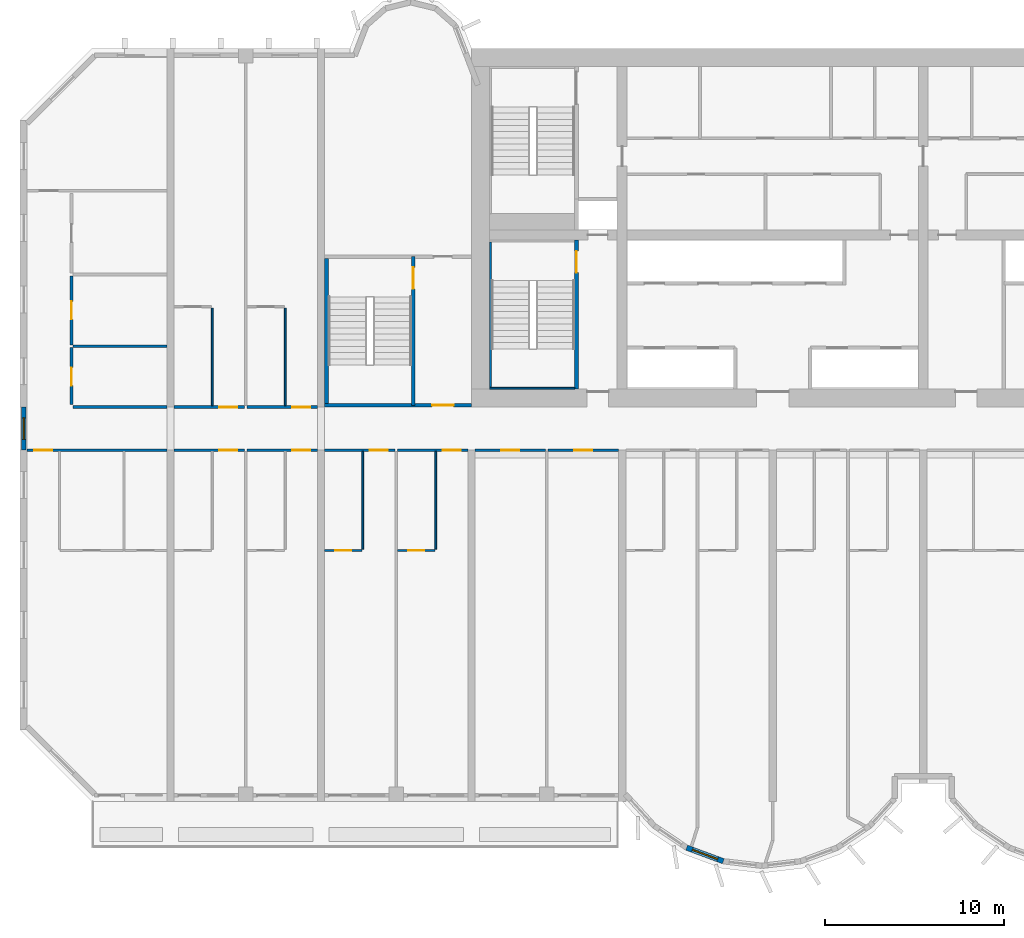
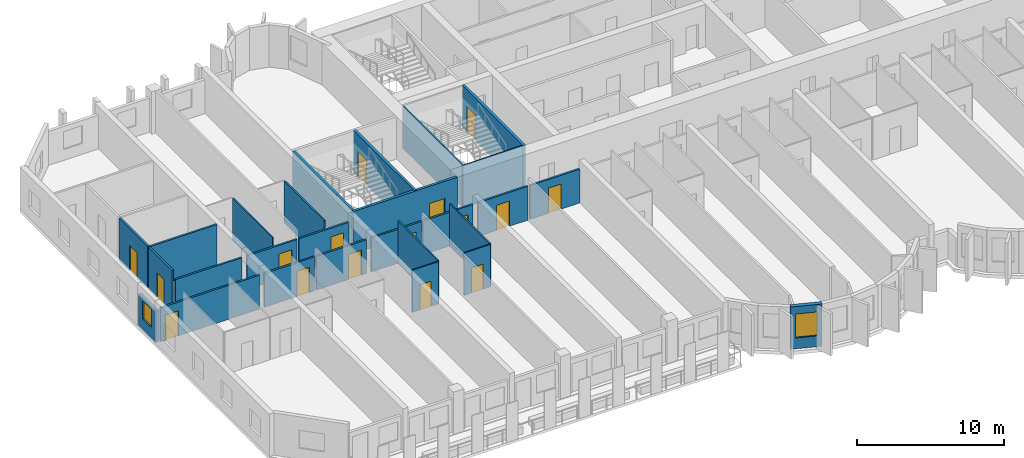
# One storey, part 3 of 15: 27 walls, 16 doors, 2 windows, 18 openings.
"""IFC4 building model written with IfcOpenShell, lengths in metres."""

from ifc_helpers import new_model, si_unit, direction, frame, frame_2d, origin, place, context, subcontext, project, spatial, rectangle, extrude, source, transform, mapped, material, layer, layer_set, type_object, element, fill, save


model = new_model("IFC4")

# Units and contexts
model_context = context("Model", 3, precision=1e-05, world=origin(), true_north=direction((0.0, 1.0)))
body_context = subcontext(model_context, "Body", "Model", "MODEL_VIEW")
ifc_project = project(units=[si_unit("LENGTHUNIT", "METRE"), si_unit("AREAUNIT", "SQUARE_METRE"), si_unit("VOLUMEUNIT", "CUBIC_METRE"), si_unit("PLANEANGLEUNIT", "RADIAN"), si_unit("MASSUNIT", "GRAM", prefix="KILO")], contexts=[model_context])

# Site, building, storey
site_placement = place(None, origin())
site = spatial("IfcSite", under=ifc_project, at=site_placement, CompositionType="ELEMENT")
building_placement = place(site_placement, origin())
building = spatial("IfcBuilding", under=site, at=building_placement, Name="Vanashikhar Sky Hotel", CompositionType="ELEMENT")
storey_placement = place(building_placement, frame((0.0, 0.0, 77.199951171875)))
storey = spatial("IfcBuildingStorey", under=building, at=storey_placement, Name="L18", CompositionType="ELEMENT", Elevation=77.199951171875)

# Wall, opening, window
ifc_material_1 = material(Name="Concrete M50", Category="concrete")
ifc_layer_1 = layer(ifc_material_1, 0.300048828125)
ifc_layer_set_1 = layer_set([ifc_layer_1], Name="Lobe wall 300")
wall_type_1 = type_object("IfcWallType", Name="Lobe wall 300", PredefinedType="SOLIDWALL", material=ifc_layer_set_1)
shared_shape_1 = source(origin(), body_context, "Body", "SweptSolid", [
    extrude(rectangle(XDim=2.17578125, YDim=0.300048828125, at=frame_2d((1.087890625, 0.0))), origin(), (0.0, 0.0, 1.0), 3.52001953125),
])
wall_1_placement = place(storey_placement, frame((37.20068359375, -2.58349609375, 0.0), z_axis=(0.0, 0.0, 1.0), x_axis=(0.93754555999, -0.347862505801, 0.0)))
wall_1 = element("IfcWall", 1, at=wall_1_placement, inside=storey, type_object=wall_type_1, Name="Lobe wall", PredefinedType="SOLIDWALL", context=body_context, shape_type="MappedRepresentation", body=[
    mapped(shared_shape_1, transform((0.0, 0.0, 0.0), scale=1.0)),
])
shared_shape_2 = source(origin(), body_context, "Body", "SweptSolid", [
    extrude(rectangle(XDim=1.5, YDim=2.0, at=frame_2d((0.75, 1.0))), frame((0.0, 0.16015625, 0.0), z_axis=(0.0, -1.0, 0.0), x_axis=(1.0, 0.0, 0.0)), (0.0, 0.0, 1.0), 0.320068359375),
])
opening_1_placement = place(wall_1_placement, frame((0.337890625, 0.0, 0.89990234375)))
opening_1 = element("IfcOpeningElement", 2, at=opening_1_placement, cuts=wall_1, Name="Opening WN-2", PredefinedType="OPENING", context=body_context, shape_type="MappedRepresentation", body=[
    mapped(shared_shape_2, transform((0.0, 0.0, 0.0), scale=1.0)),
])
ifc_material_2 = material(Name="Glass", Category="glass")
window_type_1 = type_object("IfcWindowType", Name="Lobe window 1500 x 2000", PartitioningType="SINGLE_PANEL", PredefinedType="WINDOW", material=ifc_material_2)
shared_shape_3 = source(origin(), body_context, "Body", "SweptSolid", [
    extrude(rectangle(XDim=1.5, YDim=2.0, at=frame_2d((0.75, 1.0))), frame((0.0, 0.030029296875, 0.0), z_axis=(0.0, -1.0, 0.0), x_axis=(1.0, 0.0, 0.0)), (0.0, 0.0, 1.0), 0.06005859375),
])
window_1_placement = place(opening_1_placement, origin())
window_1 = element("IfcWindow", 3, at=window_1_placement, inside=storey, type_object=window_type_1, Name="Window WN-2", OverallHeight=2.0, OverallWidth=1.5, PartitioningType="SINGLE_PANEL", PredefinedType="WINDOW", context=body_context, shape_type="MappedRepresentation", body=[
    mapped(shared_shape_3, transform((0.0, 0.0, 0.0), scale=1.0)),
])
fill(opening_1, window_1)

ifc_layer_2 = layer(ifc_material_1, 0.25)
ifc_layer_set_2 = layer_set([ifc_layer_2], Name="Rear and end board-marked wall 250")
wall_type_2 = type_object("IfcWallType", Name="Rear and end board-marked wall 250", PredefinedType="SOLIDWALL", material=ifc_layer_set_2)
shared_shape_4 = source(origin(), body_context, "Body", "SweptSolid", [
    extrude(rectangle(XDim=2.39990234375, YDim=0.25, at=frame_2d((1.199951171875, 0.0))), origin(), (0.0, 0.0, 1.0), 2.6201171875),
])
wall_2_placement = place(storey_placement, frame((0.199951171875, 19.60009765625, 0.0), z_axis=(0.0, 0.0, 1.0), x_axis=(0.0, 1.0, 0.0)))
wall_2 = element("IfcWall", 4, at=wall_2_placement, inside=storey, type_object=wall_type_2, Name="End corridor infill wall", PredefinedType="SOLIDWALL", context=body_context, shape_type="MappedRepresentation", body=[
    mapped(shared_shape_4, transform((0.0, 0.0, 0.0), scale=1.0)),
])
shared_shape_5 = source(origin(), body_context, "Body", "SweptSolid", [
    extrude(rectangle(XDim=1.199951171875, YDim=1.5, at=frame_2d((0.60009765625, 0.75))), frame((0.0, 0.135009765625, 0.0), z_axis=(0.0, -1.0, 0.0), x_axis=(1.0, 0.0, 0.0)), (0.0, 0.0, 1.0), 0.27001953125),
])
opening_2_placement = place(wall_2_placement, frame((0.60009765625, 0.0, 0.89990234375)))
opening_2 = element("IfcOpeningElement", 5, at=opening_2_placement, cuts=wall_2, Name="Opening WN-3", PredefinedType="OPENING", context=body_context, shape_type="MappedRepresentation", body=[
    mapped(shared_shape_5, transform((0.0, 0.0, 0.0), scale=1.0)),
])
window_type_2 = type_object("IfcWindowType", Name="Corridor end window 1200 x 1500", PartitioningType="SINGLE_PANEL", PredefinedType="WINDOW", material=ifc_material_2)
shared_shape_6 = source(origin(), body_context, "Body", "SweptSolid", [
    extrude(rectangle(XDim=1.199951171875, YDim=1.5, at=frame_2d((0.60009765625, 0.75))), frame((0.0, 0.030029296875, 0.0), z_axis=(0.0, -1.0, 0.0), x_axis=(1.0, 0.0, 0.0)), (0.0, 0.0, 1.0), 0.06005859375),
])
window_2_placement = place(opening_2_placement, origin())
window_2 = element("IfcWindow", 6, at=window_2_placement, inside=storey, type_object=window_type_2, Name="Window WN-3", OverallHeight=1.5, OverallWidth=1.199951171875, PartitioningType="SINGLE_PANEL", PredefinedType="WINDOW", context=body_context, shape_type="MappedRepresentation", body=[
    mapped(shared_shape_6, transform((0.0, 0.0, 0.0), scale=1.0)),
])
fill(opening_2, window_2)

# Wall, opening, door
ifc_layer_3 = layer(ifc_material_1, 0.199951171875)
ifc_layer_set_3 = layer_set([ifc_layer_3], Name="Stair wall 200")
wall_type_3 = type_object("IfcWallType", Name="Stair wall 200", PredefinedType="SOLIDWALL", material=ifc_layer_set_3)
shared_shape_7 = source(origin(), body_context, "Body", "SweptSolid", [
    extrude(rectangle(XDim=8.199951171875, YDim=0.199951171875, at=frame_2d((4.10009765625, 0.0))), origin(), (0.0, 0.0, 1.0), 3.52001953125),
])
wall_3_placement = place(storey_placement, frame((17.0, 22.10009765625, 0.0), z_axis=(0.0, 0.0, 1.0), x_axis=(1.0, 0.0, 0.0)))
wall_3 = element("IfcWall", 7, at=wall_3_placement, inside=storey, type_object=wall_type_3, Name="Stair wall 200", PredefinedType="SOLIDWALL", context=body_context, shape_type="MappedRepresentation", body=[
    mapped(shared_shape_7, transform((0.0, 0.0, 0.0), scale=1.0)),
])
shared_shape_8 = source(origin(), body_context, "Body", "SweptSolid", [
    extrude(rectangle(XDim=1.199951171875, YDim=2.10009765625, at=frame_2d((0.60009765625, 1.050048828125))), frame((0.0, 0.10986328125, 0.0), z_axis=(0.0, -1.0, 0.0), x_axis=(1.0, 0.0, 0.0)), (0.0, 0.0, 1.0), 0.219970703125),
])
opening_3_placement = place(wall_3_placement, frame((6.0, 0.0, 0.0)))
opening_3 = element("IfcOpeningElement", 8, at=opening_3_placement, cuts=wall_3, Name="Opening DC-2", PredefinedType="OPENING", context=body_context, shape_type="MappedRepresentation", body=[
    mapped(shared_shape_8, transform((0.0, 0.0, 0.0), scale=1.0)),
])
ifc_material_3 = material(Name="Steel", Category="steel")
door_type_1 = type_object("IfcDoorType", Name="Firefighting lobby door 1200 FD120", OperationType="NOTDEFINED", PredefinedType="DOOR", material=ifc_material_3)
shared_shape_9 = source(origin(), body_context, "Body", "SweptSolid", [
    extrude(rectangle(XDim=1.199951171875, YDim=2.10009765625, at=frame_2d((0.60009765625, 1.050048828125))), frame((0.0, 0.02490234375, 0.0), z_axis=(0.0, -1.0, 0.0), x_axis=(1.0, 0.0, 0.0)), (0.0, 0.0, 1.0), 0.050048828125),
])
door_1_placement = place(opening_3_placement, origin())
door_1 = element("IfcDoor", 9, at=door_1_placement, inside=storey, type_object=door_type_1, Name="Firefighting lobby door 1200 FD120", OperationType="SINGLE_SWING_LEFT", OverallHeight=2.10009765625, OverallWidth=1.199951171875, PredefinedType="DOOR", context=body_context, shape_type="MappedRepresentation", body=[
    mapped(shared_shape_9, transform((0.0, 0.0, 0.0), scale=1.0)),
])
fill(opening_3, door_1)

shared_shape_10 = source(origin(), body_context, "Body", "SweptSolid", [
    extrude(rectangle(XDim=8.2998046875, YDim=0.199951171875, at=frame_2d((4.14990234375, 0.0))), origin(), (0.0, 0.0, 1.0), 3.52001953125),
])
wall_4_placement = place(storey_placement, frame((21.949951171875, 22.10009765625, 0.0), z_axis=(0.0, 0.0, 1.0), x_axis=(0.0, 1.0, 0.0)))
wall_4 = element("IfcWall", 10, at=wall_4_placement, inside=storey, type_object=wall_type_3, Name="Stair wall 200", PredefinedType="SOLIDWALL", context=body_context, shape_type="MappedRepresentation", body=[
    mapped(shared_shape_10, transform((0.0, 0.0, 0.0), scale=1.0)),
])
opening_4_placement = place(wall_4_placement, frame((6.5, 0.0, 0.0)))
opening_4 = element("IfcOpeningElement", 11, at=opening_4_placement, cuts=wall_4, Name="Opening DC-1", PredefinedType="OPENING", context=body_context, shape_type="MappedRepresentation", body=[
    mapped(shared_shape_8, transform((0.0, 0.0, 0.0), scale=1.0)),
])
door_type_2 = type_object("IfcDoorType", Name="Stair door 1200 FD120", OperationType="NOTDEFINED", PredefinedType="DOOR", material=ifc_material_3)
door_2_placement = place(opening_4_placement, origin())
door_2 = element("IfcDoor", 12, at=door_2_placement, inside=storey, type_object=door_type_2, Name="Stair door 1200 FD120", OperationType="SINGLE_SWING_LEFT", OverallHeight=2.10009765625, OverallWidth=1.199951171875, PredefinedType="DOOR", context=body_context, shape_type="MappedRepresentation", body=[
    mapped(shared_shape_9, transform((0.0, 0.0, 0.0), scale=1.0)),
])
fill(opening_4, door_2)

# Walls
ifc_layer_4 = layer(ifc_material_1, 0.10009765625)
ifc_layer_set_4 = layer_set([ifc_layer_4], Name="Stair infill wall 100")
wall_type_4 = type_object("IfcWallType", Name="Stair infill wall 100", PredefinedType="SOLIDWALL", material=ifc_layer_set_4)
shared_shape_11 = source(origin(), body_context, "Body", "SweptSolid", [
    extrude(rectangle(XDim=4.75, YDim=0.10009765625, at=frame_2d((2.375, 0.0))), origin(), (0.0, 0.0, 1.0), 3.52001953125),
])
wall_5_placement = place(storey_placement, frame((26.199951171875, 23.050048828125, 0.0), z_axis=(0.0, 0.0, 1.0), x_axis=(1.0, 0.0, 0.0)))
element("IfcWall", 13, at=wall_5_placement, inside=storey, type_object=wall_type_4, Name="Stair infill wall 100", PredefinedType="SOLIDWALL", context=body_context, shape_type="MappedRepresentation", body=[
    mapped(shared_shape_11, transform((0.0, 0.0, 0.0), scale=1.0)),
])
shared_shape_12 = source(origin(), body_context, "Body", "SweptSolid", [
    extrude(rectangle(XDim=8.099853515625, YDim=0.10009765625, at=frame_2d((4.0498046875, 0.0))), origin(), (0.0, 0.0, 1.0), 3.52001953125),
])
wall_6_placement = place(storey_placement, frame((26.25, 23.10009765625, 0.0), z_axis=(0.0, 0.0, 1.0), x_axis=(0.0, 1.0, 0.0)))
element("IfcWall", 14, at=wall_6_placement, inside=storey, type_object=wall_type_4, Name="Stair infill wall 100", PredefinedType="SOLIDWALL", context=body_context, shape_type="MappedRepresentation", body=[
    mapped(shared_shape_12, transform((0.0, 0.0, 0.0), scale=1.0)),
])

# Wall, opening, door
shared_shape_13 = source(origin(), body_context, "Body", "SweptSolid", [
    extrude(rectangle(XDim=8.324951171875, YDim=0.199951171875, at=frame_2d((4.16259765625, 0.0))), origin(), (0.0, 0.0, 1.0), 3.52001953125),
])
wall_7_placement = place(storey_placement, frame((31.050048828125, 23.0, 0.0), z_axis=(0.0, 0.0, 1.0), x_axis=(0.0, 1.0, 0.0)))
wall_7 = element("IfcWall", 15, at=wall_7_placement, inside=storey, type_object=wall_type_3, Name="Stair wall 200", PredefinedType="SOLIDWALL", context=body_context, shape_type="MappedRepresentation", body=[
    mapped(shared_shape_13, transform((0.0, 0.0, 0.0), scale=1.0)),
])
opening_5_placement = place(wall_7_placement, frame((6.5, 0.0, 0.0)))
opening_5 = element("IfcOpeningElement", 16, at=opening_5_placement, cuts=wall_7, Name="Opening DC-1", PredefinedType="OPENING", context=body_context, shape_type="MappedRepresentation", body=[
    mapped(shared_shape_8, transform((0.0, 0.0, 0.0), scale=1.0)),
])
door_3_placement = place(opening_5_placement, origin())
door_3 = element("IfcDoor", 17, at=door_3_placement, inside=storey, type_object=door_type_2, Name="Stair door 1200 FD120", OperationType="SINGLE_SWING_LEFT", OverallHeight=2.10009765625, OverallWidth=1.199951171875, PredefinedType="DOOR", context=body_context, shape_type="MappedRepresentation", body=[
    mapped(shared_shape_9, transform((0.0, 0.0, 0.0), scale=1.0)),
])
fill(opening_5, door_3)

# Wall
ifc_layer_5 = layer(ifc_material_1, 0.199951171875)
ifc_layer_set_5 = layer_set([ifc_layer_5], Name="Stair infill wall 200")
wall_type_5 = type_object("IfcWallType", Name="Stair infill wall 200", PredefinedType="SOLIDWALL", material=ifc_layer_set_5)
shared_shape_14 = source(origin(), body_context, "Body", "SweptSolid", [
    extrude(rectangle(XDim=8.10009765625, YDim=0.199951171875, at=frame_2d((4.050048828125, 0.0))), origin(), (0.0, 0.0, 1.0), 3.52001953125),
])
wall_8_placement = place(storey_placement, frame((17.10009765625, 22.199951171875, 0.0), z_axis=(0.0, 0.0, 1.0), x_axis=(0.0, 1.0, 0.0)))
element("IfcWall", 18, at=wall_8_placement, inside=storey, type_object=wall_type_5, Name="Stair infill wall 200", PredefinedType="SOLIDWALL", context=body_context, shape_type="MappedRepresentation", body=[
    mapped(shared_shape_14, transform((0.0, 0.0, 0.0), scale=1.0)),
])

# Wall, opening, door
ifc_material_4 = material(Name="Gypsum plasterboard partition")
ifc_layer_6 = layer(ifc_material_4, 0.14990234375)
ifc_layer_set_6 = layer_set([ifc_layer_6], Name="Corridor and demising partition 150")
wall_type_6 = type_object("IfcWallType", Name="Corridor and demising partition 150", PredefinedType="PARTITIONING", material=ifc_layer_set_6)
shared_shape_15 = source(origin(), body_context, "Body", "SweptSolid", [
    extrude(rectangle(XDim=3.175048828125, YDim=0.14990234375, at=frame_2d((1.58740234375, 0.0))), origin(), (0.0, 0.0, 1.0), 3.52001953125),
])
wall_9_placement = place(storey_placement, frame((2.875, 22.14990234375, 0.0), z_axis=(0.0, 0.0, 1.0), x_axis=(0.0, 1.0, 0.0)))
wall_9 = element("IfcWall", 19, at=wall_9_placement, inside=storey, type_object=wall_type_6, Name="W-L18-PW072", PredefinedType="PARTITIONING", context=body_context, shape_type="MappedRepresentation", body=[
    mapped(shared_shape_15, transform((0.0, 0.0, 0.0), scale=1.0)),
])
shared_shape_16 = source(origin(), body_context, "Body", "SweptSolid", [
    extrude(rectangle(XDim=1.0, YDim=2.10009765625, at=frame_2d((0.5, 1.050048828125))), frame((0.0, 0.0849609375, 0.0), z_axis=(0.0, -1.0, 0.0), x_axis=(1.0, 0.0, 0.0)), (0.0, 0.0, 1.0), 0.169921875),
])
opening_6_placement = place(wall_9_placement, frame((1.050048828125, 0.0, 0.0)))
opening_6 = element("IfcOpeningElement", 20, at=opening_6_placement, cuts=wall_9, Name="Opening D-01", PredefinedType="OPENING", context=body_context, shape_type="MappedRepresentation", body=[
    mapped(shared_shape_16, transform((0.0, 0.0, 0.0), scale=1.0)),
])
ifc_material_5 = material(Name="Timber fire door", Category="wood")
door_type_3 = type_object("IfcDoorType", Name="Guest entry door 1000 FD30S", OperationType="NOTDEFINED", PredefinedType="DOOR", material=ifc_material_5)
shared_shape_17 = source(origin(), body_context, "Body", "SweptSolid", [
    extrude(rectangle(XDim=1.0, YDim=2.10009765625, at=frame_2d((0.5, 1.050048828125))), frame((0.0, 0.02490234375, 0.0), z_axis=(0.0, -1.0, 0.0), x_axis=(1.0, 0.0, 0.0)), (0.0, 0.0, 1.0), 0.050048828125),
])
door_4_placement = place(opening_6_placement, origin())
door_4 = element("IfcDoor", 21, at=door_4_placement, inside=storey, type_object=door_type_3, Name="D-L18-041", OperationType="SINGLE_SWING_LEFT", OverallHeight=2.10009765625, OverallWidth=1.0, PredefinedType="DOOR", context=body_context, shape_type="MappedRepresentation", body=[
    mapped(shared_shape_17, transform((0.0, 0.0, 0.0), scale=1.0)),
])
fill(opening_6, door_4)

shared_shape_18 = source(origin(), body_context, "Body", "SweptSolid", [
    extrude(rectangle(XDim=3.849853515625, YDim=0.14990234375, at=frame_2d((1.9248046875, 0.0))), origin(), (0.0, 0.0, 1.0), 3.52001953125),
])
wall_10_placement = place(storey_placement, frame((2.875, 25.47509765625, 0.0), z_axis=(0.0, 0.0, 1.0), x_axis=(0.0, 1.0, 0.0)))
wall_10 = element("IfcWall", 22, at=wall_10_placement, inside=storey, type_object=wall_type_6, Name="W-L18-PW074", PredefinedType="PARTITIONING", context=body_context, shape_type="MappedRepresentation", body=[
    mapped(shared_shape_18, transform((0.0, 0.0, 0.0), scale=1.0)),
])
opening_7_placement = place(wall_10_placement, frame((1.425048828125, 0.0, 0.0)))
opening_7 = element("IfcOpeningElement", 23, at=opening_7_placement, cuts=wall_10, Name="Opening D-01", PredefinedType="OPENING", context=body_context, shape_type="MappedRepresentation", body=[
    mapped(shared_shape_16, transform((0.0, 0.0, 0.0), scale=1.0)),
])
door_5_placement = place(opening_7_placement, origin())
door_5 = element("IfcDoor", 24, at=door_5_placement, inside=storey, type_object=door_type_3, Name="D-L18-042", OperationType="SINGLE_SWING_LEFT", OverallHeight=2.10009765625, OverallWidth=1.0, PredefinedType="DOOR", context=body_context, shape_type="MappedRepresentation", body=[
    mapped(shared_shape_17, transform((0.0, 0.0, 0.0), scale=1.0)),
])
fill(opening_7, door_5)

shared_shape_19 = source(origin(), body_context, "Body", "SweptSolid", [
    extrude(rectangle(XDim=7.800048828125, YDim=0.14990234375, at=frame_2d((3.89990234375, 0.0))), origin(), (0.0, 0.0, 1.0), 2.820068359375),
])
wall_11_placement = place(storey_placement, frame((0.39990234375, 19.60009765625, 0.0), z_axis=(0.0, 0.0, 1.0), x_axis=(1.0, 0.0, 0.0)))
wall_11 = element("IfcWall", 25, at=wall_11_placement, inside=storey, type_object=wall_type_6, Name="W-L18-PW005", PredefinedType="PARTITIONING", context=body_context, shape_type="MappedRepresentation", body=[
    mapped(shared_shape_19, transform((0.0, 0.0, 0.0), scale=1.0)),
])
opening_8_placement = place(wall_11_placement, frame((0.39990234375, 0.0, 0.0)))
opening_8 = element("IfcOpeningElement", 26, at=opening_8_placement, cuts=wall_11, Name="Opening D-01", PredefinedType="OPENING", context=body_context, shape_type="MappedRepresentation", body=[
    mapped(shared_shape_16, transform((0.0, 0.0, 0.0), scale=1.0)),
])
door_6_placement = place(opening_8_placement, origin())
door_6 = element("IfcDoor", 27, at=door_6_placement, inside=storey, type_object=door_type_3, Name="D-L18-003", OperationType="SINGLE_SWING_LEFT", OverallHeight=2.10009765625, OverallWidth=1.0, PredefinedType="DOOR", context=body_context, shape_type="MappedRepresentation", body=[
    mapped(shared_shape_17, transform((0.0, 0.0, 0.0), scale=1.0)),
])
fill(opening_8, door_6)

ifc_layer_7 = layer(ifc_material_4, 0.10009765625)
ifc_layer_set_7 = layer_set([ifc_layer_7], Name="Wet room partition 100")
wall_type_7 = type_object("IfcWallType", Name="Wet room partition 100", PredefinedType="PARTITIONING", material=ifc_layer_set_7)
shared_shape_20 = source(origin(), body_context, "Body", "SweptSolid", [
    extrude(rectangle(XDim=2.074951171875, YDim=0.10009765625, at=frame_2d((1.03759765625, 0.0))), origin(), (0.0, 0.0, 1.0), 3.52001953125),
])
wall_12_placement = place(storey_placement, frame((17.0, 14.0, 0.0), z_axis=(0.0, 0.0, 1.0), x_axis=(1.0, 0.0, 0.0)))
wall_12 = element("IfcWall", 28, at=wall_12_placement, inside=storey, type_object=wall_type_7, Name="W-L18-PW014", PredefinedType="PARTITIONING", context=body_context, shape_type="MappedRepresentation", body=[
    mapped(shared_shape_20, transform((0.0, 0.0, 0.0), scale=1.0)),
])
shared_shape_21 = source(origin(), body_context, "Body", "SweptSolid", [
    extrude(rectangle(XDim=0.89990234375, YDim=2.10009765625, at=frame_2d((0.449951171875, 1.050048828125))), frame((0.0, 0.06005859375, 0.0), z_axis=(0.0, -1.0, 0.0), x_axis=(1.0, 0.0, 0.0)), (0.0, 0.0, 1.0), 0.1201171875),
])
opening_9_placement = place(wall_12_placement, frame((0.587890625, 0.0, 0.0)))
opening_9 = element("IfcOpeningElement", 29, at=opening_9_placement, cuts=wall_12, Name="Opening D-02", PredefinedType="OPENING", context=body_context, shape_type="MappedRepresentation", body=[
    mapped(shared_shape_21, transform((0.0, 0.0, 0.0), scale=1.0)),
])
ifc_material_6 = material(Name="Timber door", Category="wood")
door_type_4 = type_object("IfcDoorType", Name="Internal door 900", OperationType="NOTDEFINED", PredefinedType="DOOR", material=ifc_material_6)
shared_shape_22 = source(origin(), body_context, "Body", "SweptSolid", [
    extrude(rectangle(XDim=0.89990234375, YDim=2.10009765625, at=frame_2d((0.449951171875, 1.050048828125))), frame((0.0, 0.02490234375, 0.0), z_axis=(0.0, -1.0, 0.0), x_axis=(1.0, 0.0, 0.0)), (0.0, 0.0, 1.0), 0.050048828125),
])
door_7_placement = place(opening_9_placement, origin())
door_7 = element("IfcDoor", 30, at=door_7_placement, inside=storey, type_object=door_type_4, Name="D-L18-008", OperationType="SINGLE_SWING_RIGHT", OverallHeight=2.10009765625, OverallWidth=0.89990234375, PredefinedType="DOOR", context=body_context, shape_type="MappedRepresentation", body=[
    mapped(shared_shape_22, transform((0.0, 0.0, 0.0), scale=1.0)),
])
fill(opening_9, door_7)

wall_13_placement = place(storey_placement, frame((21.074951171875, 14.0, 0.0), z_axis=(0.0, 0.0, 1.0), x_axis=(1.0, 0.0, 0.0)))
wall_13 = element("IfcWall", 31, at=wall_13_placement, inside=storey, type_object=wall_type_7, Name="W-L18-PW017", PredefinedType="PARTITIONING", context=body_context, shape_type="MappedRepresentation", body=[
    mapped(shared_shape_20, transform((0.0, 0.0, 0.0), scale=1.0)),
])
opening_10_placement = place(wall_13_placement, frame((0.5869140625, 0.0, 0.0)))
opening_10 = element("IfcOpeningElement", 32, at=opening_10_placement, cuts=wall_13, Name="Opening D-02", PredefinedType="OPENING", context=body_context, shape_type="MappedRepresentation", body=[
    mapped(shared_shape_21, transform((0.0, 0.0, 0.0), scale=1.0)),
])
door_8_placement = place(opening_10_placement, origin())
door_8 = element("IfcDoor", 33, at=door_8_placement, inside=storey, type_object=door_type_4, Name="D-L18-010", OperationType="SINGLE_SWING_RIGHT", OverallHeight=2.10009765625, OverallWidth=0.89990234375, PredefinedType="DOOR", context=body_context, shape_type="MappedRepresentation", body=[
    mapped(shared_shape_22, transform((0.0, 0.0, 0.0), scale=1.0)),
])
fill(opening_10, door_8)

shared_shape_23 = source(origin(), body_context, "Body", "SweptSolid", [
    extrude(rectangle(XDim=3.9248046875, YDim=0.14990234375, at=frame_2d((1.96240234375, 0.0))), origin(), (0.0, 0.0, 1.0), 2.820068359375),
])
wall_14_placement = place(storey_placement, frame((8.60009765625, 19.60009765625, 0.0), z_axis=(0.0, 0.0, 1.0), x_axis=(1.0, 0.0, 0.0)))
wall_14 = element("IfcWall", 34, at=wall_14_placement, inside=storey, type_object=wall_type_6, Name="W-L18-PW008", PredefinedType="PARTITIONING", context=body_context, shape_type="MappedRepresentation", body=[
    mapped(shared_shape_23, transform((0.0, 0.0, 0.0), scale=1.0)),
])
opening_11_placement = place(wall_14_placement, frame((2.52490234375, 0.0, 0.0)))
opening_11 = element("IfcOpeningElement", 35, at=opening_11_placement, cuts=wall_14, Name="Opening D-01", PredefinedType="OPENING", context=body_context, shape_type="MappedRepresentation", body=[
    mapped(shared_shape_16, transform((0.0, 0.0, 0.0), scale=1.0)),
])
door_9_placement = place(opening_11_placement, origin())
door_9 = element("IfcDoor", 36, at=door_9_placement, inside=storey, type_object=door_type_3, Name="D-L18-005", OperationType="SINGLE_SWING_RIGHT", OverallHeight=2.10009765625, OverallWidth=1.0, PredefinedType="DOOR", context=body_context, shape_type="MappedRepresentation", body=[
    mapped(shared_shape_17, transform((0.0, 0.0, 0.0), scale=1.0)),
])
fill(opening_11, door_9)

wall_15_placement = place(storey_placement, frame((29.47509765625, 19.60009765625, 0.0), z_axis=(0.0, 0.0, 1.0), x_axis=(1.0, 0.0, 0.0)))
wall_15 = element("IfcWall", 37, at=wall_15_placement, inside=storey, type_object=wall_type_6, Name="W-L18-PW021", PredefinedType="PARTITIONING", context=body_context, shape_type="MappedRepresentation", body=[
    mapped(shared_shape_23, transform((0.0, 0.0, 0.0), scale=1.0)),
])
opening_12_placement = place(wall_15_placement, frame((1.4619140625, 0.0, 0.0)))
opening_12 = element("IfcOpeningElement", 38, at=opening_12_placement, cuts=wall_15, Name="Opening D-01", PredefinedType="OPENING", context=body_context, shape_type="MappedRepresentation", body=[
    mapped(shared_shape_16, transform((0.0, 0.0, 0.0), scale=1.0)),
])
door_10_placement = place(opening_12_placement, origin())
door_10 = element("IfcDoor", 39, at=door_10_placement, inside=storey, type_object=door_type_3, Name="D-L18-013", OperationType="SINGLE_SWING_RIGHT", OverallHeight=2.10009765625, OverallWidth=1.0, PredefinedType="DOOR", context=body_context, shape_type="MappedRepresentation", body=[
    mapped(shared_shape_17, transform((0.0, 0.0, 0.0), scale=1.0)),
])
fill(opening_12, door_10)

wall_16_placement = place(storey_placement, frame((8.60009765625, 22.0, 0.0), z_axis=(0.0, 0.0, 1.0), x_axis=(1.0, 0.0, 0.0)))
wall_16 = element("IfcWall", 40, at=wall_16_placement, inside=storey, type_object=wall_type_6, Name="W-L18-PW080", PredefinedType="PARTITIONING", context=body_context, shape_type="MappedRepresentation", body=[
    mapped(shared_shape_23, transform((0.0, 0.0, 0.0), scale=1.0)),
])
opening_13_placement = place(wall_16_placement, frame((2.52490234375, 0.0, 0.0)))
opening_13 = element("IfcOpeningElement", 41, at=opening_13_placement, cuts=wall_16, Name="Opening D-01", PredefinedType="OPENING", context=body_context, shape_type="MappedRepresentation", body=[
    mapped(shared_shape_16, transform((0.0, 0.0, 0.0), scale=1.0)),
])
door_11_placement = place(opening_13_placement, origin())
door_11 = element("IfcDoor", 42, at=door_11_placement, inside=storey, type_object=door_type_3, Name="D-L18-046", OperationType="SINGLE_SWING_RIGHT", OverallHeight=2.10009765625, OverallWidth=1.0, PredefinedType="DOOR", context=body_context, shape_type="MappedRepresentation", body=[
    mapped(shared_shape_17, transform((0.0, 0.0, 0.0), scale=1.0)),
])
fill(opening_13, door_11)

shared_shape_24 = source(origin(), body_context, "Body", "SweptSolid", [
    extrude(rectangle(XDim=3.925048828125, YDim=0.14990234375, at=frame_2d((1.96240234375, 0.0))), origin(), (0.0, 0.0, 1.0), 2.820068359375),
])
wall_17_placement = place(storey_placement, frame((12.675048828125, 19.60009765625, 0.0), z_axis=(0.0, 0.0, 1.0), x_axis=(1.0, 0.0, 0.0)))
wall_17 = element("IfcWall", 43, at=wall_17_placement, inside=storey, type_object=wall_type_6, Name="W-L18-PW011", PredefinedType="PARTITIONING", context=body_context, shape_type="MappedRepresentation", body=[
    mapped(shared_shape_24, transform((0.0, 0.0, 0.0), scale=1.0)),
])
opening_14_placement = place(wall_17_placement, frame((2.52490234375, 0.0, 0.0)))
opening_14 = element("IfcOpeningElement", 44, at=opening_14_placement, cuts=wall_17, Name="Opening D-01", PredefinedType="OPENING", context=body_context, shape_type="MappedRepresentation", body=[
    mapped(shared_shape_16, transform((0.0, 0.0, 0.0), scale=1.0)),
])
door_12_placement = place(opening_14_placement, origin())
door_12 = element("IfcDoor", 45, at=door_12_placement, inside=storey, type_object=door_type_3, Name="D-L18-007", OperationType="SINGLE_SWING_RIGHT", OverallHeight=2.10009765625, OverallWidth=1.0, PredefinedType="DOOR", context=body_context, shape_type="MappedRepresentation", body=[
    mapped(shared_shape_17, transform((0.0, 0.0, 0.0), scale=1.0)),
])
fill(opening_14, door_12)

wall_18_placement = place(storey_placement, frame((17.0, 19.60009765625, 0.0), z_axis=(0.0, 0.0, 1.0), x_axis=(1.0, 0.0, 0.0)))
wall_18 = element("IfcWall", 46, at=wall_18_placement, inside=storey, type_object=wall_type_6, Name="W-L18-PW015", PredefinedType="PARTITIONING", context=body_context, shape_type="MappedRepresentation", body=[
    mapped(shared_shape_24, transform((0.0, 0.0, 0.0), scale=1.0)),
])
opening_15_placement = place(wall_18_placement, frame((2.52490234375, 0.0, 0.0)))
opening_15 = element("IfcOpeningElement", 47, at=opening_15_placement, cuts=wall_18, Name="Opening D-01", PredefinedType="OPENING", context=body_context, shape_type="MappedRepresentation", body=[
    mapped(shared_shape_16, transform((0.0, 0.0, 0.0), scale=1.0)),
])
door_13_placement = place(opening_15_placement, origin())
door_13 = element("IfcDoor", 48, at=door_13_placement, inside=storey, type_object=door_type_3, Name="D-L18-009", OperationType="SINGLE_SWING_RIGHT", OverallHeight=2.10009765625, OverallWidth=1.0, PredefinedType="DOOR", context=body_context, shape_type="MappedRepresentation", body=[
    mapped(shared_shape_17, transform((0.0, 0.0, 0.0), scale=1.0)),
])
fill(opening_15, door_13)

wall_19_placement = place(storey_placement, frame((21.074951171875, 19.60009765625, 0.0), z_axis=(0.0, 0.0, 1.0), x_axis=(1.0, 0.0, 0.0)))
wall_19 = element("IfcWall", 49, at=wall_19_placement, inside=storey, type_object=wall_type_6, Name="W-L18-PW018", PredefinedType="PARTITIONING", context=body_context, shape_type="MappedRepresentation", body=[
    mapped(shared_shape_24, transform((0.0, 0.0, 0.0), scale=1.0)),
])
opening_16_placement = place(wall_19_placement, frame((2.52490234375, 0.0, 0.0)))
opening_16 = element("IfcOpeningElement", 50, at=opening_16_placement, cuts=wall_19, Name="Opening D-01", PredefinedType="OPENING", context=body_context, shape_type="MappedRepresentation", body=[
    mapped(shared_shape_16, transform((0.0, 0.0, 0.0), scale=1.0)),
])
door_14_placement = place(opening_16_placement, origin())
door_14 = element("IfcDoor", 51, at=door_14_placement, inside=storey, type_object=door_type_3, Name="D-L18-011", OperationType="SINGLE_SWING_RIGHT", OverallHeight=2.10009765625, OverallWidth=1.0, PredefinedType="DOOR", context=body_context, shape_type="MappedRepresentation", body=[
    mapped(shared_shape_17, transform((0.0, 0.0, 0.0), scale=1.0)),
])
fill(opening_16, door_14)

wall_20_placement = place(storey_placement, frame((25.39990234375, 19.60009765625, 0.0), z_axis=(0.0, 0.0, 1.0), x_axis=(1.0, 0.0, 0.0)))
wall_20 = element("IfcWall", 52, at=wall_20_placement, inside=storey, type_object=wall_type_6, Name="W-L18-PW020", PredefinedType="PARTITIONING", context=body_context, shape_type="MappedRepresentation", body=[
    mapped(shared_shape_24, transform((0.0, 0.0, 0.0), scale=1.0)),
])
opening_17_placement = place(wall_20_placement, frame((1.4619140625, 0.0, 0.0)))
opening_17 = element("IfcOpeningElement", 53, at=opening_17_placement, cuts=wall_20, Name="Opening D-01", PredefinedType="OPENING", context=body_context, shape_type="MappedRepresentation", body=[
    mapped(shared_shape_16, transform((0.0, 0.0, 0.0), scale=1.0)),
])
door_15_placement = place(opening_17_placement, origin())
door_15 = element("IfcDoor", 54, at=door_15_placement, inside=storey, type_object=door_type_3, Name="D-L18-012", OperationType="SINGLE_SWING_LEFT", OverallHeight=2.10009765625, OverallWidth=1.0, PredefinedType="DOOR", context=body_context, shape_type="MappedRepresentation", body=[
    mapped(shared_shape_17, transform((0.0, 0.0, 0.0), scale=1.0)),
])
fill(opening_17, door_15)

wall_21_placement = place(storey_placement, frame((12.675048828125, 22.0, 0.0), z_axis=(0.0, 0.0, 1.0), x_axis=(1.0, 0.0, 0.0)))
wall_21 = element("IfcWall", 55, at=wall_21_placement, inside=storey, type_object=wall_type_6, Name="W-L18-PW083", PredefinedType="PARTITIONING", context=body_context, shape_type="MappedRepresentation", body=[
    mapped(shared_shape_24, transform((0.0, 0.0, 0.0), scale=1.0)),
])
opening_18_placement = place(wall_21_placement, frame((2.52490234375, 0.0, 0.0)))
opening_18 = element("IfcOpeningElement", 56, at=opening_18_placement, cuts=wall_21, Name="Opening D-01", PredefinedType="OPENING", context=body_context, shape_type="MappedRepresentation", body=[
    mapped(shared_shape_16, transform((0.0, 0.0, 0.0), scale=1.0)),
])
door_16_placement = place(opening_18_placement, origin())
door_16 = element("IfcDoor", 57, at=door_16_placement, inside=storey, type_object=door_type_3, Name="D-L18-048", OperationType="SINGLE_SWING_RIGHT", OverallHeight=2.10009765625, OverallWidth=1.0, PredefinedType="DOOR", context=body_context, shape_type="MappedRepresentation", body=[
    mapped(shared_shape_17, transform((0.0, 0.0, 0.0), scale=1.0)),
])
fill(opening_18, door_16)

# Walls
shared_shape_25 = source(origin(), body_context, "Body", "SweptSolid", [
    extrude(rectangle(XDim=5.25, YDim=0.14990234375, at=frame_2d((2.625, 0.0))), origin(), (0.0, 0.0, 1.0), 2.820068359375),
])
wall_22_placement = place(storey_placement, frame((2.949951171875, 22.0, 0.0), z_axis=(0.0, 0.0, 1.0), x_axis=(1.0, 0.0, 0.0)))
element("IfcWall", 58, at=wall_22_placement, inside=storey, type_object=wall_type_6, Name="W-L18-PW071", PredefinedType="PARTITIONING", context=body_context, shape_type="MappedRepresentation", body=[
    mapped(shared_shape_25, transform((0.0, 0.0, 0.0), scale=1.0)),
])
shared_shape_26 = source(origin(), body_context, "Body", "SweptSolid", [
    extrude(rectangle(XDim=5.25, YDim=0.14990234375, at=frame_2d((2.625, 0.0))), origin(), (0.0, 0.0, 1.0), 3.52001953125),
])
wall_23_placement = place(storey_placement, frame((2.949951171875, 25.39990234375, 0.0), z_axis=(0.0, 0.0, 1.0), x_axis=(1.0, 0.0, 0.0)))
element("IfcWall", 59, at=wall_23_placement, inside=storey, type_object=wall_type_6, Name="W-L18-PW073", PredefinedType="PARTITIONING", context=body_context, shape_type="MappedRepresentation", body=[
    mapped(shared_shape_26, transform((0.0, 0.0, 0.0), scale=1.0)),
])
shared_shape_27 = source(origin(), body_context, "Body", "SweptSolid", [
    extrude(rectangle(XDim=5.449951171875, YDim=0.10009765625, at=frame_2d((2.72509765625, 0.0))), origin(), (0.0, 0.0, 1.0), 3.52001953125),
])
for number, where, z_axis, x_axis, name in (
    (60, (19.125, 14.074951171875, 0.0), (0.0, 0.0, 1.0), (0.0, 1.0, 0.0), "W-L18-PW013"),
    (61, (23.199951171875, 14.074951171875, 0.0), (0.0, 0.0, 1.0), (0.0, 1.0, 0.0), "W-L18-PW016"),
    (62, (10.72509765625, 22.074951171875, 0.0), (0.0, 0.0, 1.0), (0.0, 1.0, 0.0), "W-L18-PW078"),
    (63, (14.800048828125, 22.074951171875, 0.0), (0.0, 0.0, 1.0), (0.0, 1.0, 0.0), "W-L18-PW081"),
):
    element("IfcWall", number, at=place(storey_placement, frame(where, z_axis=z_axis, x_axis=x_axis)), inside=storey, type_object=wall_type_7, Name=name, PredefinedType="PARTITIONING", context=body_context, shape_type="MappedRepresentation", body=[
        mapped(shared_shape_27, transform((0.0, 0.0, 0.0), scale=1.0)),
    ])

save(model, "model.ifc")
